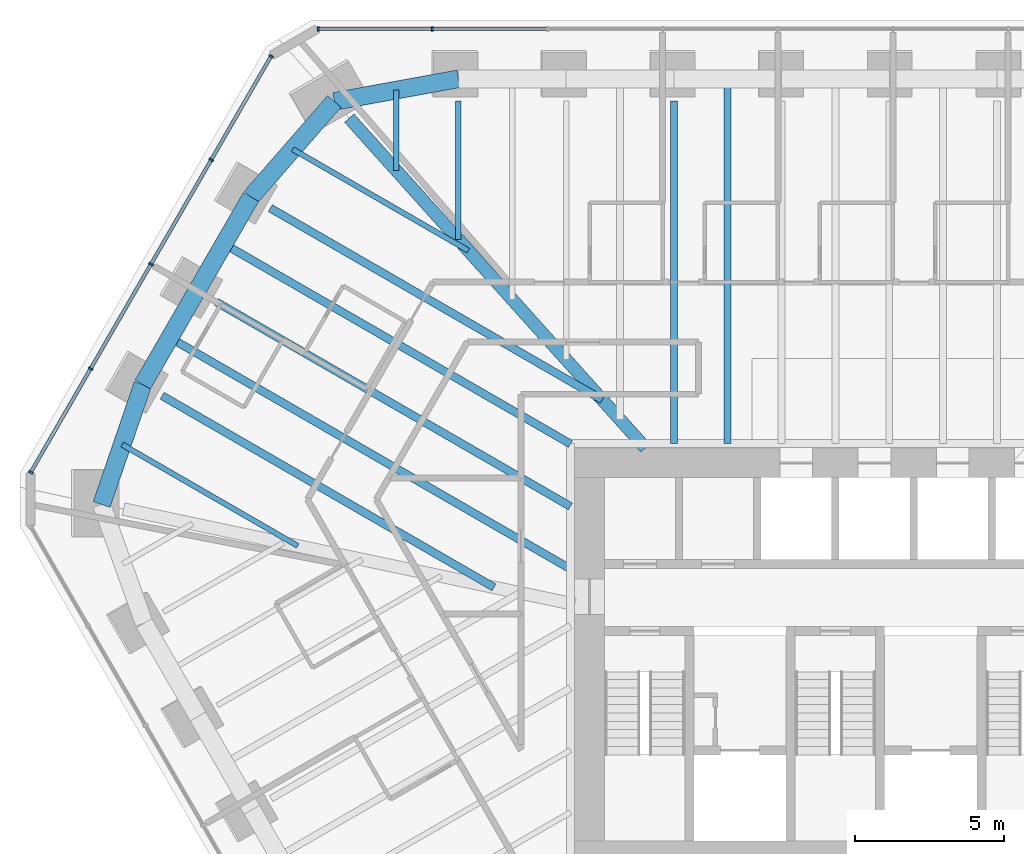
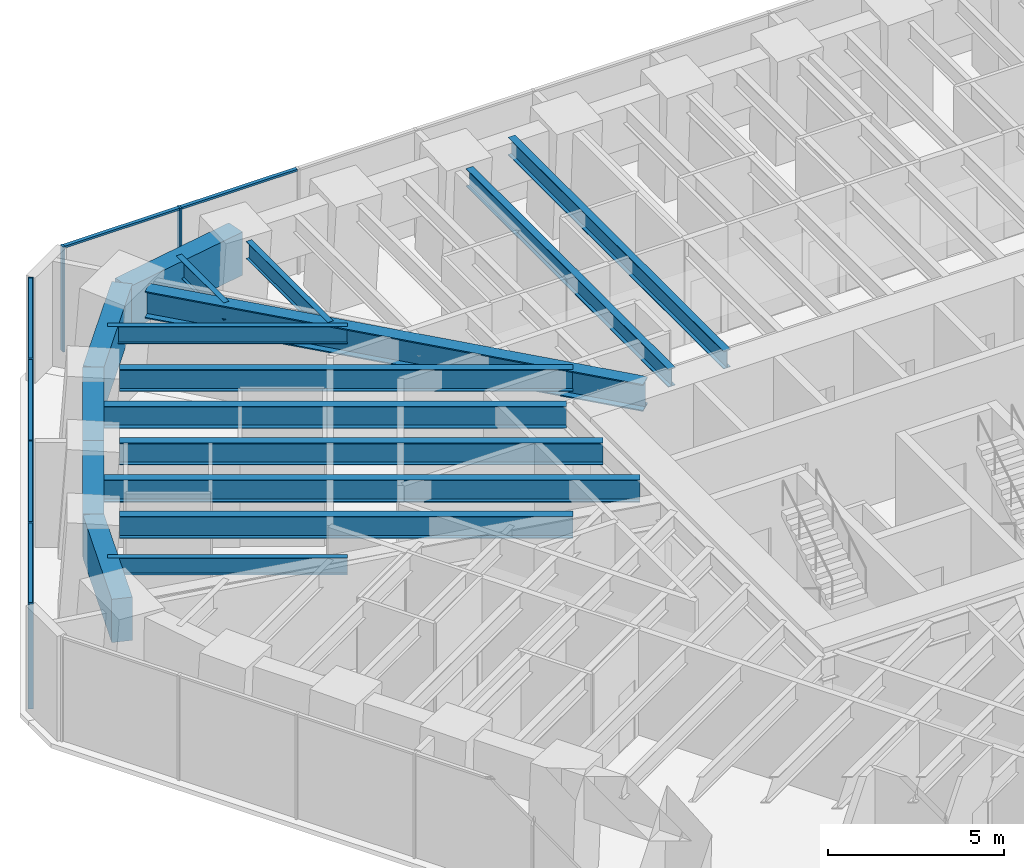
# One storey, part 7 of 17: 17 beams, 13 members, 2 elements without a shape of their own.
"""IFC4 building model written with IfcOpenShell, lengths in metres."""

from ifc_helpers import new_model, si_unit, direction, frame, origin, origin_2d, place, context, subcontext, project, spatial, rectangle, i_section, extrude, material, material_profile, profile_set, type_object, element, aggregate, save


model = new_model("IFC4")

# Units and contexts
model_context = context("Model", 3, precision=1e-05, world=origin(), true_north=direction((0.0, 1.0)))
body_context = subcontext(model_context, "Body", "Model", "MODEL_VIEW")
ifc_project = project(units=[si_unit("LENGTHUNIT", "METRE"), si_unit("AREAUNIT", "SQUARE_METRE"), si_unit("VOLUMEUNIT", "CUBIC_METRE"), si_unit("PLANEANGLEUNIT", "RADIAN"), si_unit("MASSUNIT", "GRAM", prefix="KILO")], contexts=[model_context])

# Site, building, storey
site_placement = place(None, origin())
site = spatial("IfcSite", under=ifc_project, at=site_placement, CompositionType="ELEMENT")
building_placement = place(site_placement, origin())
building = spatial("IfcBuilding", under=site, at=building_placement, Name="Sandreach Pilgrim Tower", CompositionType="ELEMENT")
storey_placement = place(building_placement, frame((0.0, 0.0, 236.39990234375)))
storey = spatial("IfcBuildingStorey", under=building, at=storey_placement, Name="L59", CompositionType="ELEMENT", Elevation=236.39990234375)

# Curtain wall, members
ifc_material_1 = material(Name="Aluminium framed curtain wall", Category="aluminium")
curtain_wall_type = type_object("IfcCurtainWallType", Name="Upper hotel tower curtain wall", PredefinedType="NOTDEFINED", material=ifc_material_1)
curtain_wall_1_placement = place(storey_placement, origin())
curtain_wall_1 = element("IfcCurtainWall", 1, at=curtain_wall_1_placement, inside=storey, type_object=curtain_wall_type, Name="CW-3 L59 N", PredefinedType="NOTDEFINED")
ifc_material_2 = material(Name="Aluminium extrusion", Category="aluminium")
ifc_material_profile_1 = material_profile(ifc_material_2, rectangle(XDim=0.06494140625, YDim=0.159912109375, at=origin_2d()), Name="CW-3M 65X160")
ifc_profile_set_1 = profile_set([ifc_material_profile_1], Name="Aluminium extrusion")
member_type_1 = type_object("IfcMemberType", Name="CW-3 mullion", PredefinedType="MULLION", material=ifc_profile_set_1)
member_1_placement = place(storey_placement, frame((-17.357421875, 21.16015625, 0.0), z_axis=(0.0, 0.0, 1.0), x_axis=(1.0, 0.0, 0.0)))
member_1 = element("IfcMember", 2, at=member_1_placement, type_object=member_type_1, Name="CW-3 mullion 1", PredefinedType="MULLION", context=body_context, shape_type="SweptSolid", body=[
    extrude(rectangle(XDim=0.06494140625, YDim=0.159912109375, at=origin_2d()), origin(), (0.0, 0.0, 1.0), 3.64013671875),
])
member_2_placement = place(storey_placement, frame((-13.525390625, 21.16015625, 0.0), z_axis=(0.0, 0.0, 1.0), x_axis=(1.0, 0.0, 0.0)))
member_2 = element("IfcMember", 3, at=member_2_placement, type_object=member_type_1, Name="CW-3 mullion 2", PredefinedType="MULLION", context=body_context, shape_type="SweptSolid", body=[
    extrude(rectangle(XDim=0.06494140625, YDim=0.159912109375, at=origin_2d()), origin(), (0.0, 0.0, 1.0), 3.64013671875),
])

curtain_wall_2_placement = place(storey_placement, origin())
curtain_wall_2 = element("IfcCurtainWall", 4, at=curtain_wall_2_placement, inside=storey, type_object=curtain_wall_type, Name="CW-3 L59 NW", PredefinedType="NOTDEFINED")
member_3_placement = place(storey_placement, frame((-27.00390625, 6.278076171875, 0.0), z_axis=(0.0, 0.0, 1.0), x_axis=(0.5, 0.866025403784, 0.0)))
member_3 = element("IfcMember", 5, at=member_3_placement, type_object=member_type_1, Name="CW-3 mullion 1", PredefinedType="MULLION", context=body_context, shape_type="SweptSolid", body=[
    extrude(rectangle(XDim=0.06494140625, YDim=0.159912109375, at=origin_2d()), origin(), (0.0, 0.0, 1.0), 3.64013671875),
])
member_4_placement = place(storey_placement, frame((-24.995849609375, 9.75634765625, 0.0), z_axis=(0.0, 0.0, 1.0), x_axis=(0.5, 0.866025403784, 0.0)))
member_4 = element("IfcMember", 6, at=member_4_placement, type_object=member_type_1, Name="CW-3 mullion 2", PredefinedType="MULLION", context=body_context, shape_type="SweptSolid", body=[
    extrude(rectangle(XDim=0.06494140625, YDim=0.159912109375, at=origin_2d()), origin(), (0.0, 0.0, 1.0), 3.64013671875),
])
member_5_placement = place(storey_placement, frame((-22.971435546875, 13.262451171875, 0.0), z_axis=(0.0, 0.0, 1.0), x_axis=(0.5, 0.866025403784, 0.0)))
member_5 = element("IfcMember", 7, at=member_5_placement, type_object=member_type_1, Name="CW-3 mullion 3", PredefinedType="MULLION", context=body_context, shape_type="SweptSolid", body=[
    extrude(rectangle(XDim=0.06494140625, YDim=0.159912109375, at=origin_2d()), origin(), (0.0, 0.0, 1.0), 3.64013671875),
])
member_6_placement = place(storey_placement, frame((-20.947021484375, 16.768798828125, 0.0), z_axis=(0.0, 0.0, 1.0), x_axis=(0.5, 0.866025403784, 0.0)))
member_6 = element("IfcMember", 8, at=member_6_placement, type_object=member_type_1, Name="CW-3 mullion 4", PredefinedType="MULLION", context=body_context, shape_type="SweptSolid", body=[
    extrude(rectangle(XDim=0.06494140625, YDim=0.159912109375, at=origin_2d()), origin(), (0.0, 0.0, 1.0), 3.64013671875),
])
member_7_placement = place(storey_placement, frame((-18.93896484375, 20.2470703125, 0.0), z_axis=(0.0, 0.0, 1.0), x_axis=(0.5, 0.866025403784, 0.0)))
member_7 = element("IfcMember", 9, at=member_7_placement, type_object=member_type_1, Name="CW-3 mullion 5", PredefinedType="MULLION", context=body_context, shape_type="SweptSolid", body=[
    extrude(rectangle(XDim=0.06494140625, YDim=0.159912109375, at=origin_2d()), origin(), (0.0, 0.0, 1.0), 3.64013671875),
])

# Member
ifc_material_3 = material(Name="Aluminium extrusion", Category="aluminium")
ifc_material_profile_2 = material_profile(ifc_material_3, rectangle(XDim=0.1201171875, YDim=0.070068359375, at=origin_2d()), Name="CW-3T 120X70")
ifc_profile_set_2 = profile_set([ifc_material_profile_2], Name="Aluminium extrusion")
member_type_2 = type_object("IfcMemberType", Name="CW-3 transom", PredefinedType="USERDEFINED", material=ifc_profile_set_2)
member_8_placement = place(storey_placement, frame((-17.324951171875, 21.16015625, 3.60498046875), z_axis=(1.0, 0.0, 0.0), x_axis=(0.0, 1.0, 0.0)))
member_8 = element("IfcMember", 10, at=member_8_placement, type_object=member_type_2, Name="CW-3 head transom 1", ObjectType="TRANSOM", PredefinedType="USERDEFINED", context=body_context, shape_type="SweptSolid", body=[
    extrude(rectangle(XDim=0.1201171875, YDim=0.070068359375, at=origin_2d()), origin(), (0.0, 0.0, 1.0), 3.76708984375),
])

member_9_placement = place(storey_placement, frame((-13.492919921875, 21.16015625, 3.60498046875), z_axis=(1.0, 0.0, 0.0), x_axis=(0.0, 1.0, 0.0)))
member_9 = element("IfcMember", 11, at=member_9_placement, type_object=member_type_2, Name="CW-3 head transom 2", ObjectType="TRANSOM", PredefinedType="USERDEFINED", context=body_context, shape_type="SweptSolid", body=[
    extrude(rectangle(XDim=0.1201171875, YDim=0.070068359375, at=origin_2d()), origin(), (0.0, 0.0, 1.0), 3.79931640625),
])

aggregate(curtain_wall_1, [member_1, member_2, member_8, member_9])

member_10_placement = place(storey_placement, frame((-26.987548828125, 6.306396484375, 3.60498046875), z_axis=(0.499993448556, 0.866029186229, 0.0), x_axis=(-0.866029186229, 0.499993448556, 0.0)))
member_10 = element("IfcMember", 12, at=member_10_placement, type_object=member_type_2, Name="CW-3 head transom 1", ObjectType="TRANSOM", PredefinedType="USERDEFINED", context=body_context, shape_type="SweptSolid", body=[
    extrude(rectangle(XDim=0.1201171875, YDim=0.070068359375, at=origin_2d()), origin(), (0.0, 0.0, 1.0), 3.951171875),
])

member_11_placement = place(storey_placement, frame((-24.9794921875, 9.784423828125, 3.60498046875), z_axis=(0.499975332564, 0.866039645067, 0.0), x_axis=(-0.866039645067, 0.499975332564, 0.0)))
member_11 = element("IfcMember", 13, at=member_11_placement, type_object=member_type_2, Name="CW-3 head transom 2", ObjectType="TRANSOM", PredefinedType="USERDEFINED", context=body_context, shape_type="SweptSolid", body=[
    extrude(rectangle(XDim=0.1201171875, YDim=0.070068359375, at=origin_2d()), origin(), (0.0, 0.0, 1.0), 3.983642578125),
])

member_12_placement = place(storey_placement, frame((-22.955078125, 13.290771484375, 3.60498046875), z_axis=(0.499975332564, 0.866039645067, 0.0), x_axis=(-0.866039645067, 0.499975332564, 0.0)))
member_12 = element("IfcMember", 14, at=member_12_placement, type_object=member_type_2, Name="CW-3 head transom 3", ObjectType="TRANSOM", PredefinedType="USERDEFINED", context=body_context, shape_type="SweptSolid", body=[
    extrude(rectangle(XDim=0.1201171875, YDim=0.070068359375, at=origin_2d()), origin(), (0.0, 0.0, 1.0), 3.983642578125),
])

member_13_placement = place(storey_placement, frame((-20.930908203125, 16.796875, 3.60498046875), z_axis=(0.499993448556, 0.866029186229, 0.0), x_axis=(-0.866029186229, 0.499993448556, 0.0)))
member_13 = element("IfcMember", 15, at=member_13_placement, type_object=member_type_2, Name="CW-3 head transom 4", ObjectType="TRANSOM", PredefinedType="USERDEFINED", context=body_context, shape_type="SweptSolid", body=[
    extrude(rectangle(XDim=0.1201171875, YDim=0.070068359375, at=origin_2d()), origin(), (0.0, 0.0, 1.0), 3.951171875),
])

aggregate(curtain_wall_2, [member_3, member_4, member_5, member_6, member_7, member_10, member_11, member_12, member_13])

# Beams
ifc_material_4 = material(Name="Steel ASTM A992 Grade 50", Category="steel")
ifc_material_profile_3 = material_profile(ifc_material_4, i_section(OverallWidth=0.421630859375, OverallDepth=0.937255859375, WebThickness=0.0224609375, FlangeThickness=0.039794921875, at=origin_2d()), Name="W36X282")
ifc_profile_set_3 = profile_set([ifc_material_profile_3], Name="Steel ASTM A992 Grade 50")
beam_type_1 = type_object("IfcBeamType", Name="Corner girder W36X282", PredefinedType="BEAM", material=ifc_profile_set_3)
beam_1_placement = place(storey_placement, frame((-16.315185546875, 18.169677734375, 3.17138671875), z_axis=(0.668112951333, -0.744059866047, 0.0), x_axis=(0.744059866047, 0.668112951333, 0.0)))
element("IfcBeam", 16, at=beam_1_placement, inside=storey, type_object=beam_type_1, Name="BM L59 CG39", PredefinedType="BEAM", context=body_context, shape_type="SweptSolid", body=[
    extrude(i_section(OverallWidth=0.421630859375, OverallDepth=0.937255859375, WebThickness=0.0224609375, FlangeThickness=0.039794921875, at=origin_2d()), origin(), (0.0, 0.0, 1.0), 14.877197265625),
])
ifc_material_5 = material(Name="Steel ASTM A992 Grade 50", Category="steel")
ifc_material_profile_4 = material_profile(ifc_material_5, i_section(OverallWidth=0.1787109375, OverallDepth=0.60205078125, WebThickness=0.010986328125, FlangeThickness=0.014892578125, at=origin_2d()), Name="W24X62")
ifc_profile_set_4 = profile_set([ifc_material_profile_4], Name="Steel ASTM A992 Grade 50")
beam_type_2 = type_object("IfcBeamType", Name="Floor beam W24X62", PredefinedType="BEAM", material=ifc_profile_set_4)
beam_2_placement = place(storey_placement, frame((-12.654052734375, 18.734619140625, 3.339111328125), z_axis=(0.0, -1.0, 0.0), x_axis=(1.0, 0.0, 0.0)))
element("IfcBeam", 17, at=beam_2_placement, inside=storey, type_object=beam_type_2, Name="BM L59 F01", PredefinedType="BEAM", context=body_context, shape_type="SweptSolid", body=[
    extrude(i_section(OverallWidth=0.1787109375, OverallDepth=0.60205078125, WebThickness=0.010986328125, FlangeThickness=0.014892578125, at=origin_2d()), origin(), (0.0, 0.0, 1.0), 4.642333984375),
])
for number, where, z_axis, x_axis, name in (
    (18, (-23.937255859375, 7.212646484375, 3.339111328125), (0.866018335219, -0.500012242915, 0.0), (0.500012242915, 0.866018335219, 0.0), "BM L59 FM35"),
    (19, (-18.21484375, 17.1240234375, 3.339111328125), (0.866018335219, -0.500012242915, 0.0), (0.500012242915, 0.866018335219, 0.0), "BM L59 FM38"),
):
    element("IfcBeam", number, at=place(storey_placement, frame(where, z_axis=z_axis, x_axis=x_axis)), inside=storey, type_object=beam_type_2, Name=name, PredefinedType="BEAM", context=body_context, shape_type="SweptSolid", body=[
        extrude(i_section(OverallWidth=0.1787109375, OverallDepth=0.60205078125, WebThickness=0.010986328125, FlangeThickness=0.014892578125, at=origin_2d()), origin(), (0.0, 0.0, 1.0), 6.806396484375),
    ])
beam_3_placement = place(storey_placement, frame((-14.735107421875, 19.106201171875, 3.339111328125), z_axis=(0.0, -1.0, 0.0), x_axis=(1.0, 0.0, 0.0)))
element("IfcBeam", 20, at=beam_3_placement, inside=storey, type_object=beam_type_2, Name="BM L59 FM39", PredefinedType="BEAM", context=body_context, shape_type="SweptSolid", body=[
    extrude(i_section(OverallWidth=0.1787109375, OverallDepth=0.60205078125, WebThickness=0.010986328125, FlangeThickness=0.014892578125, at=origin_2d()), origin(), (0.0, 0.0, 1.0), 2.6962890625),
])
ifc_material_6 = material(Name="Steel ASTM A992 Grade 50", Category="steel")
ifc_material_profile_5 = material_profile(ifc_material_6, i_section(OverallWidth=0.23046875, OverallDepth=0.6171875, WebThickness=0.01318359375, FlangeThickness=0.022216796875, at=origin_2d()), Name="W24X94")
ifc_profile_set_5 = profile_set([ifc_material_profile_5], Name="Steel ASTM A992 Grade 50")
beam_type_3 = type_object("IfcBeamType", Name="Floor beam W24X94", PredefinedType="BEAM", material=ifc_profile_set_5)
beam_4_placement = place(storey_placement, frame((-5.423095703125, 18.734619140625, 3.33154296875), z_axis=(0.0, -1.0, 0.0), x_axis=(1.0, 0.0, 0.0)))
element("IfcBeam", 21, at=beam_4_placement, inside=storey, type_object=beam_type_3, Name="BM L59 F03", PredefinedType="BEAM", context=body_context, shape_type="SweptSolid", body=[
    extrude(i_section(OverallWidth=0.23046875, OverallDepth=0.6171875, WebThickness=0.01318359375, FlangeThickness=0.022216796875, at=origin_2d()), origin(), (0.0, 0.0, 1.0), 11.4912109375),
])
beam_5_placement = place(storey_placement, frame((-3.615478515625, 19.484619140625, 3.33154296875), z_axis=(0.0, -1.0, 0.0), x_axis=(1.0, 0.0, 0.0)))
element("IfcBeam", 22, at=beam_5_placement, inside=storey, type_object=beam_type_3, Name="BM L59 FM03", PredefinedType="BEAM", context=body_context, shape_type="SweptSolid", body=[
    extrude(i_section(OverallWidth=0.23046875, OverallDepth=0.6171875, WebThickness=0.01318359375, FlangeThickness=0.022216796875, at=origin_2d()), origin(), (0.0, 0.0, 1.0), 12.2412109375),
])
ifc_material_7 = material(Name="Steel ASTM A992 Grade 50", Category="steel")
ifc_material_profile_6 = material_profile(ifc_material_7, i_section(OverallWidth=0.2666015625, OverallDepth=0.761962890625, WebThickness=0.014404296875, FlangeThickness=0.021484375, at=origin_2d()), Name="W30X116")
ifc_profile_set_6 = profile_set([ifc_material_profile_6], Name="Steel ASTM A992 Grade 50")
beam_type_4 = type_object("IfcBeamType", Name="Floor beam W30X116", PredefinedType="BEAM", material=ifc_profile_set_6)
beam_6_placement = place(storey_placement, frame((-22.59814453125, 8.8505859375, 3.259033203125), z_axis=(0.866023437285, -0.500003406062, 0.0), x_axis=(0.500003406062, 0.866023437285, 0.0)))
element("IfcBeam", 23, at=beam_6_placement, inside=storey, type_object=beam_type_4, Name="BM L59 F36", PredefinedType="BEAM", context=body_context, shape_type="SweptSolid", body=[
    extrude(i_section(OverallWidth=0.2666015625, OverallDepth=0.761962890625, WebThickness=0.014404296875, FlangeThickness=0.021484375, at=origin_2d()), origin(), (0.0, 0.0, 1.0), 12.86279296875),
])
beam_7_placement = place(storey_placement, frame((-20.781005859375, 11.998046875, 3.259033203125), z_axis=(0.866020315465, -0.500008813125, 0.0), x_axis=(0.500008813125, 0.866020315465, 0.0)))
element("IfcBeam", 24, at=beam_7_placement, inside=storey, type_object=beam_type_4, Name="BM L59 F37", PredefinedType="BEAM", context=body_context, shape_type="SweptSolid", body=[
    extrude(i_section(OverallWidth=0.2666015625, OverallDepth=0.761962890625, WebThickness=0.014404296875, FlangeThickness=0.021484375, at=origin_2d()), origin(), (0.0, 0.0, 1.0), 13.726806640625),
])
beam_8_placement = place(storey_placement, frame((-18.9638671875, 15.145263671875, 3.259033203125), z_axis=(0.866023437285, -0.500003406062, 0.0), x_axis=(0.500003406062, 0.866023437285, 0.0)))
element("IfcBeam", 25, at=beam_8_placement, inside=storey, type_object=beam_type_4, Name="BM L59 F38", PredefinedType="BEAM", context=body_context, shape_type="SweptSolid", body=[
    extrude(i_section(OverallWidth=0.2666015625, OverallDepth=0.761962890625, WebThickness=0.014404296875, FlangeThickness=0.021484375, at=origin_2d()), origin(), (0.0, 0.0, 1.0), 12.86279296875),
])
beam_9_placement = place(storey_placement, frame((-20.52197265625, 13.946533203125, 3.259033203125), z_axis=(0.866023598276, -0.500003127219, 0.0), x_axis=(0.500003127219, 0.866023598276, 0.0)))
element("IfcBeam", 26, at=beam_9_placement, inside=storey, type_object=beam_type_4, Name="BM L59 FM37", PredefinedType="BEAM", context=body_context, shape_type="SweptSolid", body=[
    extrude(i_section(OverallWidth=0.2666015625, OverallDepth=0.761962890625, WebThickness=0.014404296875, FlangeThickness=0.021484375, at=origin_2d()), origin(), (0.0, 0.0, 1.0), 13.427734375),
])
ifc_material_8 = material(Name="Steel ASTM A992 Grade 50", Category="steel")
ifc_material_profile_7 = material_profile(ifc_material_8, i_section(OverallWidth=0.2666015625, OverallDepth=0.77978515625, WebThickness=0.0166015625, FlangeThickness=0.030029296875, at=origin_2d()), Name="W30X148")
ifc_profile_set_7 = profile_set([ifc_material_profile_7], Name="Steel ASTM A992 Grade 50")
beam_type_5 = type_object("IfcBeamType", Name="Floor beam W30X148", PredefinedType="BEAM", material=ifc_profile_set_7)
beam_10_placement = place(storey_placement, frame((-22.339111328125, 10.79931640625, 3.250244140625), z_axis=(0.866025327015, -0.500000132968, 0.0), x_axis=(0.500000132968, 0.866025327015, 0.0)))
element("IfcBeam", 27, at=beam_10_placement, inside=storey, type_object=beam_type_5, Name="BM L59 FM36", PredefinedType="BEAM", context=body_context, shape_type="SweptSolid", body=[
    extrude(i_section(OverallWidth=0.2666015625, OverallDepth=0.77978515625, WebThickness=0.0166015625, FlangeThickness=0.030029296875, at=origin_2d()), origin(), (0.0, 0.0, 1.0), 15.52587890625),
])
ifc_material_9 = material(Name="Concrete 10000 psi", Category="concrete")
ifc_material_profile_8 = material_profile(ifc_material_9, rectangle(XDim=0.60009765625, YDim=1.5, at=origin_2d()), Name="RC600X1500")
ifc_profile_set_8 = profile_set([ifc_material_profile_8], Name="Concrete 10000 psi")
beam_type_6 = type_object("IfcBeamType", Name="Spandrel beam RC600X1500", PredefinedType="SPANDREL", material=ifc_profile_set_8)
beam_11_placement = place(storey_placement, frame((-24.626708984375, 5.199462890625, 2.89013671875), z_axis=(0.324064716088, 0.946034914676, 0.0), x_axis=(-0.946034914676, 0.324064716088, 0.0)))
element("IfcBeam", 28, at=beam_11_placement, inside=storey, type_object=beam_type_6, Name="BM L59 SP35", PredefinedType="SPANDREL", context=body_context, shape_type="SweptSolid", body=[
    extrude(rectangle(XDim=0.60009765625, YDim=1.5, at=origin_2d()), origin(), (0.0, 0.0, 1.0), 4.255859375),
])
beam_12_placement = place(storey_placement, frame((-23.24755859375, 9.2255859375, 2.89013671875), z_axis=(0.499939555083, 0.866060298861, 0.0), x_axis=(-0.866060298861, 0.499939555083, 0.0)))
element("IfcBeam", 29, at=beam_12_placement, inside=storey, type_object=beam_type_6, Name="BM L59 SP36", PredefinedType="SPANDREL", context=body_context, shape_type="SweptSolid", body=[
    extrude(rectangle(XDim=0.60009765625, YDim=1.5, at=origin_2d()), origin(), (0.0, 0.0, 1.0), 3.63427734375),
])
beam_13_placement = place(storey_placement, frame((-21.4306640625, 12.373046875, 2.89013671875), z_axis=(0.500019029215, 0.866014416983, 0.0), x_axis=(-0.866014416983, 0.500019029215, 0.0)))
element("IfcBeam", 30, at=beam_13_placement, inside=storey, type_object=beam_type_6, Name="BM L59 SP37", PredefinedType="SPANDREL", context=body_context, shape_type="SweptSolid", body=[
    extrude(rectangle(XDim=0.60009765625, YDim=1.5, at=origin_2d()), origin(), (0.0, 0.0, 1.0), 3.634033203125),
])
beam_14_placement = place(storey_placement, frame((-19.613525390625, 15.520263671875, 2.89013671875), z_axis=(0.657244675746, 0.753677275897, 0.0), x_axis=(-0.753677275897, 0.657244675746, 0.0)))
element("IfcBeam", 31, at=beam_14_placement, inside=storey, type_object=beam_type_6, Name="BM L59 SP38", PredefinedType="SPANDREL", context=body_context, shape_type="SweptSolid", body=[
    extrude(rectangle(XDim=0.60009765625, YDim=1.5, at=origin_2d()), origin(), (0.0, 0.0, 1.0), 4.255859375),
])
beam_15_placement = place(storey_placement, frame((-16.81640625, 18.727783203125, 2.89013671875), z_axis=(0.983868063383, 0.178895594844, 0.0), x_axis=(-0.178895594844, 0.983868063383, 0.0)))
element("IfcBeam", 32, at=beam_15_placement, inside=storey, type_object=beam_type_6, Name="BM L59 SP39", PredefinedType="SPANDREL", context=body_context, shape_type="SweptSolid", body=[
    extrude(rectangle(XDim=0.60009765625, YDim=1.5, at=origin_2d()), origin(), (0.0, 0.0, 1.0), 4.230712890625),
])

save(model, "model.ifc")
